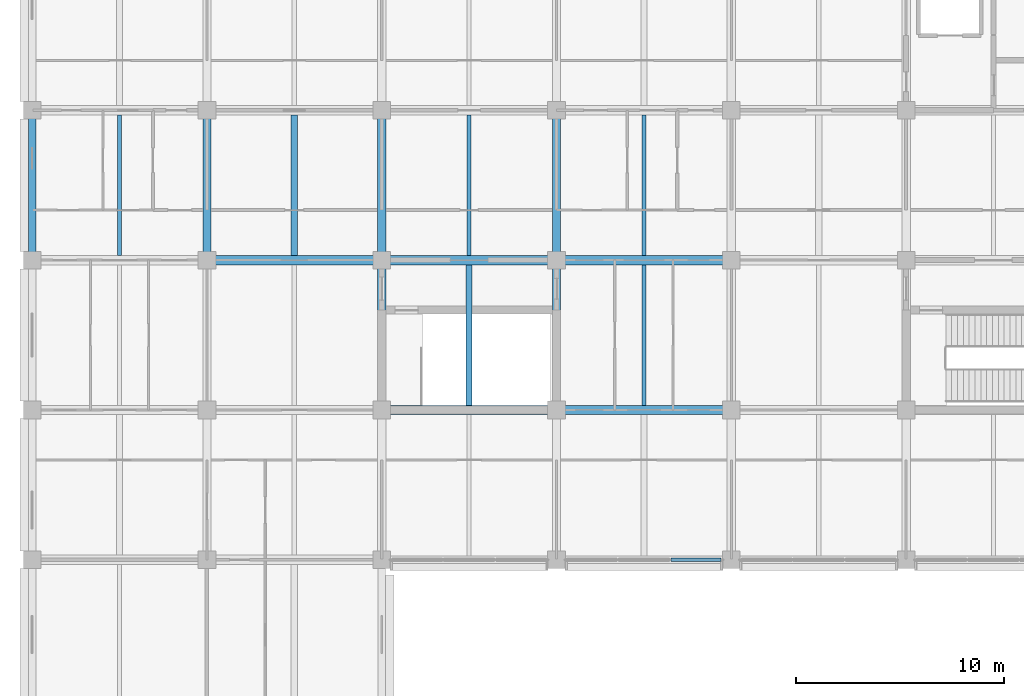
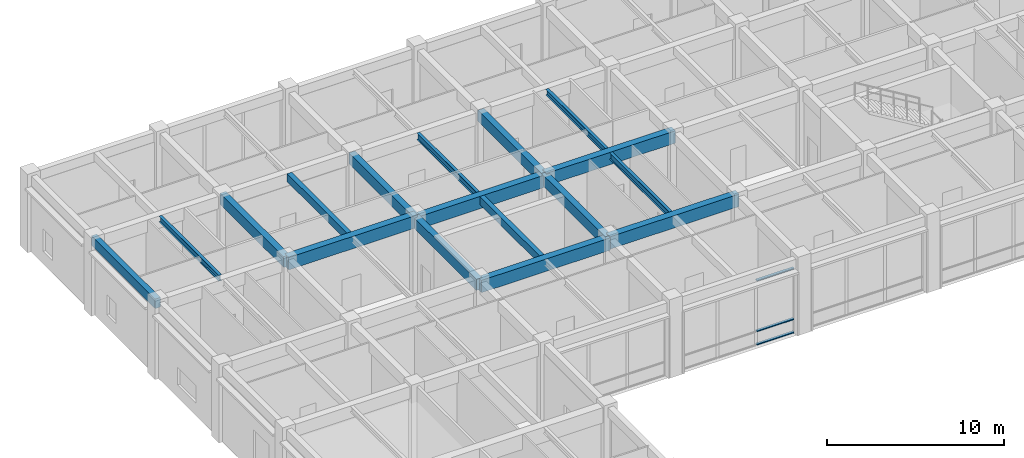
# One storey, part 5 of 58: 17 beams, 3 members, 1 element without a shape of its own.
"""IFC4 building model written with IfcOpenShell, lengths in metres."""

from ifc_helpers import new_model, si_unit, direction, frame, origin, origin_2d, place, context, subcontext, project, spatial, rectangle, i_section, extrude, material, layer, layer_set, material_profile, profile_set, type_object, element, aggregate, save


model = new_model("IFC4")

# Units and contexts
model_context = context("Model", 3, precision=1e-05, world=origin(), true_north=direction((0.0, 1.0)))
body_context = subcontext(model_context, "Body", "Model", "MODEL_VIEW")
ifc_project = project(units=[si_unit("LENGTHUNIT", "METRE"), si_unit("AREAUNIT", "SQUARE_METRE"), si_unit("VOLUMEUNIT", "CUBIC_METRE"), si_unit("PLANEANGLEUNIT", "RADIAN"), si_unit("MASSUNIT", "GRAM", prefix="KILO")], contexts=[model_context])

# Site, building, storey
site_placement = place(None, origin())
site = spatial("IfcSite", under=ifc_project, at=site_placement, CompositionType="ELEMENT")
building_placement = place(site_placement, origin())
building = spatial("IfcBuilding", under=site, at=building_placement, Name="Chengyuan Square Courthouse", CompositionType="ELEMENT")
storey_placement = place(building_placement, frame((0.0, 0.0, 16.199951171875)))
storey = spatial("IfcBuildingStorey", under=building, at=storey_placement, Name="L04", CompositionType="ELEMENT", Elevation=16.199951171875)

# Beams
ifc_material_1 = material(Name="Concrete C40", Category="concrete")
ifc_material_profile_1 = material_profile(ifc_material_1, rectangle(XDim=0.449951171875, YDim=0.85009765625, at=origin_2d()), Name="RC-BM-450x850")
ifc_profile_set_1 = profile_set([ifc_material_profile_1], Name="Concrete C40")
beam_type_1 = type_object("IfcBeamType", Name="BM-01", PredefinedType="USERDEFINED", material=ifc_profile_set_1)
beam_1_placement = place(storey_placement, frame((16.800048828125, 86.39990234375, 4.625), z_axis=(1.0, 0.0, 0.0), x_axis=(0.0, 1.0, 0.0)))
element("IfcBeam", 1, at=beam_1_placement, inside=storey, type_object=beam_type_1, Name="Girder BM-L04-2883", ObjectType="GIRDER", PredefinedType="USERDEFINED", context=body_context, shape_type="SweptSolid", body=[
    extrude(rectangle(XDim=0.449951171875, YDim=0.85009765625, at=origin_2d()), origin(), (0.0, 0.0, 1.0), 8.39990234375),
])
for number, where, z_axis, x_axis, name in (
    (2, (25.199951171875, 86.39990234375, 4.695068359375), (1.0, 0.0, 0.0), (0.0, 1.0, 0.0), "Girder BM-L04-2884"),
    (3, (8.39990234375, 93.60009765625, 4.775146484375), (1.0, 0.0, 0.0), (0.0, 1.0, 0.0), "Girder BM-L04-2902"),
):
    element("IfcBeam", number, at=place(storey_placement, frame(where, z_axis=z_axis, x_axis=x_axis)), inside=storey, type_object=beam_type_1, Name=name, ObjectType="GIRDER", PredefinedType="USERDEFINED", context=body_context, shape_type="SweptSolid", body=[
        extrude(rectangle(XDim=0.449951171875, YDim=0.85009765625, at=origin_2d()), origin(), (0.0, 0.0, 1.0), 8.400146484375),
    ])
beam_2_placement = place(storey_placement, frame((16.800048828125, 93.60009765625, 4.625), z_axis=(1.0, 0.0, 0.0), x_axis=(0.0, 1.0, 0.0)))
element("IfcBeam", 4, at=beam_2_placement, inside=storey, type_object=beam_type_1, Name="Girder BM-L04-2903", ObjectType="GIRDER", PredefinedType="USERDEFINED", context=body_context, shape_type="SweptSolid", body=[
    extrude(rectangle(XDim=0.449951171875, YDim=0.85009765625, at=origin_2d()), origin(), (0.0, 0.0, 1.0), 8.39990234375),
])
beam_3_placement = place(storey_placement, frame((25.199951171875, 93.60009765625, 4.695068359375), z_axis=(1.0, 0.0, 0.0), x_axis=(0.0, 1.0, 0.0)))
element("IfcBeam", 5, at=beam_3_placement, inside=storey, type_object=beam_type_1, Name="Girder BM-L04-2904", ObjectType="GIRDER", PredefinedType="USERDEFINED", context=body_context, shape_type="SweptSolid", body=[
    extrude(rectangle(XDim=0.449951171875, YDim=0.85009765625, at=origin_2d()), origin(), (0.0, 0.0, 1.0), 8.400146484375),
])
ifc_material_profile_2 = material_profile(ifc_material_1, rectangle(XDim=0.39990234375, YDim=0.75, at=origin_2d()), Name="RC-BM-400x750")
ifc_profile_set_2 = profile_set([ifc_material_profile_2], Name="Concrete C40")
beam_type_2 = type_object("IfcBeamType", Name="BM-02", PredefinedType="USERDEFINED", material=ifc_profile_set_2)
beam_4_placement = place(storey_placement, frame((8.39990234375, 93.60009765625, 4.824951171875), z_axis=(0.0, 1.0, 0.0), x_axis=(-1.0, 0.0, 0.0)))
element("IfcBeam", 6, at=beam_4_placement, inside=storey, type_object=beam_type_2, Name="Girder BM-L04-2981", ObjectType="GIRDER", PredefinedType="USERDEFINED", context=body_context, shape_type="SweptSolid", body=[
    extrude(rectangle(XDim=0.39990234375, YDim=0.75, at=origin_2d()), origin(), (0.0, 0.0, 1.0), 7.199951171875),
])
beam_5_placement = place(storey_placement, frame((16.800048828125, 86.39990234375, 4.675048828125), z_axis=(0.0, 1.0, 0.0), x_axis=(-1.0, 0.0, 0.0)))
element("IfcBeam", 7, at=beam_5_placement, inside=storey, type_object=beam_type_2, Name="Girder BM-L04-2990", ObjectType="GIRDER", PredefinedType="USERDEFINED", context=body_context, shape_type="SweptSolid", body=[
    extrude(rectangle(XDim=0.39990234375, YDim=0.75, at=origin_2d()), origin(), (0.0, 0.0, 1.0), 7.2001953125),
])
beam_6_placement = place(storey_placement, frame((16.800048828125, 93.60009765625, 4.675048828125), z_axis=(0.0, 1.0, 0.0), x_axis=(-1.0, 0.0, 0.0)))
element("IfcBeam", 8, at=beam_6_placement, inside=storey, type_object=beam_type_2, Name="Girder BM-L04-2991", ObjectType="GIRDER", PredefinedType="USERDEFINED", context=body_context, shape_type="SweptSolid", body=[
    extrude(rectangle(XDim=0.39990234375, YDim=0.75, at=origin_2d()), origin(), (0.0, 0.0, 1.0), 7.199951171875),
])
beam_7_placement = place(storey_placement, frame((25.199951171875, 86.39990234375, 4.675048828125), z_axis=(0.0, 1.0, 0.0), x_axis=(-1.0, 0.0, 0.0)))
element("IfcBeam", 9, at=beam_7_placement, inside=storey, type_object=beam_type_2, Name="Girder BM-L04-2994", ObjectType="GIRDER", PredefinedType="USERDEFINED", context=body_context, shape_type="SweptSolid", body=[
    extrude(rectangle(XDim=0.39990234375, YDim=0.75, at=origin_2d()), origin(), (0.0, 0.0, 1.0), 7.2001953125),
])
beam_8_placement = place(storey_placement, frame((25.199951171875, 93.60009765625, 4.675048828125), z_axis=(0.0, 1.0, 0.0), x_axis=(-1.0, 0.0, 0.0)))
element("IfcBeam", 10, at=beam_8_placement, inside=storey, type_object=beam_type_2, Name="Girder BM-L04-2995", ObjectType="GIRDER", PredefinedType="USERDEFINED", context=body_context, shape_type="SweptSolid", body=[
    extrude(rectangle(XDim=0.39990234375, YDim=0.75, at=origin_2d()), origin(), (0.0, 0.0, 1.0), 7.199951171875),
])
ifc_material_profile_3 = material_profile(ifc_material_1, rectangle(XDim=0.35009765625, YDim=0.64990234375, at=origin_2d()), Name="RC-BM-350x650")
ifc_profile_set_3 = profile_set([ifc_material_profile_3], Name="Concrete C40")
beam_type_3 = type_object("IfcBeamType", Name="BM-03", PredefinedType="SPANDREL", material=ifc_profile_set_3)
beam_9_placement = place(storey_placement, frame((0.0, 93.60009765625, 4.875), z_axis=(0.0, 1.0, 0.0), x_axis=(-1.0, 0.0, 0.0)))
element("IfcBeam", 11, at=beam_9_placement, inside=storey, type_object=beam_type_3, Name="Girder BM-L04-2977", PredefinedType="SPANDREL", context=body_context, shape_type="SweptSolid", body=[
    extrude(rectangle(XDim=0.35009765625, YDim=0.64990234375, at=origin_2d()), origin(), (0.0, 0.0, 1.0), 7.199951171875),
])
ifc_material_profile_4 = material_profile(ifc_material_1, rectangle(XDim=0.300048828125, YDim=0.550048828125, at=origin_2d()), Name="RC-BM-300x550")
ifc_profile_set_4 = profile_set([ifc_material_profile_4], Name="Concrete C40")
beam_type_4 = type_object("IfcBeamType", Name="BM-04", PredefinedType="BEAM", material=ifc_profile_set_4)
for number, where, z_axis, x_axis, name in (
    (12, (12.60009765625, 93.824951171875, 4.925048828125), (0.0, 1.0, 0.0), (-1.0, 0.0, 0.0), "Secondary Floor Beam SBM-L04-3111"),
    (13, (21.0, 86.625, 4.775146484375), (0.0, 1.0, 0.0), (-1.0, 0.0, 0.0), "Secondary Floor Beam SBM-L04-3114"),
):
    element("IfcBeam", number, at=place(storey_placement, frame(where, z_axis=z_axis, x_axis=x_axis)), inside=storey, type_object=beam_type_4, Name=name, PredefinedType="BEAM", context=body_context, shape_type="SweptSolid", body=[
        extrude(rectangle(XDim=0.300048828125, YDim=0.550048828125, at=origin_2d()), origin(), (0.0, 0.0, 1.0), 6.75),
    ])
ifc_material_2 = material(Name="Steel Q355B", Category="steel")
ifc_material_profile_5 = material_profile(ifc_material_2, i_section(OverallWidth=0.199951171875, OverallDepth=0.449951171875, WebThickness=0.009033203125, FlangeThickness=0.013916015625, at=origin_2d()), Name="HN 450x200x9x14")
ifc_profile_set_5 = profile_set([ifc_material_profile_5], Name="Steel Q355B")
beam_type_5 = type_object("IfcBeamType", Name="BM-06", PredefinedType="BEAM", material=ifc_profile_set_5)
for number, where, z_axis, x_axis, name in (
    (14, (21.0, 93.824951171875, 4.824951171875), (0.0, 1.0, 0.0), (-1.0, 0.0, 0.0), "Secondary Floor Beam SBM-L04-3115"),
    (15, (29.39990234375, 86.625, 4.89501953125), (0.0, 1.0, 0.0), (-1.0, 0.0, 0.0), "Secondary Floor Beam SBM-L04-3118"),
):
    element("IfcBeam", number, at=place(storey_placement, frame(where, z_axis=z_axis, x_axis=x_axis)), inside=storey, type_object=beam_type_5, Name=name, PredefinedType="BEAM", context=body_context, shape_type="SweptSolid", body=[
        extrude(i_section(OverallWidth=0.199951171875, OverallDepth=0.449951171875, WebThickness=0.009033203125, FlangeThickness=0.013916015625, at=origin_2d()), origin(), (0.0, 0.0, 1.0), 6.75),
    ])
ifc_material_profile_6 = material_profile(ifc_material_2, i_section(OverallWidth=0.199951171875, OverallDepth=0.39990234375, WebThickness=0.008056640625, FlangeThickness=0.012939453125, at=origin_2d()), Name="HN 400x200x8x13")
ifc_profile_set_6 = profile_set([ifc_material_profile_6], Name="Steel Q355B")
beam_type_6 = type_object("IfcBeamType", Name="BM-07", PredefinedType="BEAM", material=ifc_profile_set_6)
for number, where, z_axis, x_axis, name in (
    (16, (4.199951171875, 93.824951171875, 5.0), (0.0, 1.0, 0.0), (-1.0, 0.0, 0.0), "Secondary Floor Beam SBM-L04-3101"),
    (17, (29.39990234375, 93.824951171875, 4.920166015625), (0.0, 1.0, 0.0), (-1.0, 0.0, 0.0), "Secondary Floor Beam SBM-L04-3119"),
):
    element("IfcBeam", number, at=place(storey_placement, frame(where, z_axis=z_axis, x_axis=x_axis)), inside=storey, type_object=beam_type_6, Name=name, PredefinedType="BEAM", context=body_context, shape_type="SweptSolid", body=[
        extrude(i_section(OverallWidth=0.199951171875, OverallDepth=0.39990234375, WebThickness=0.008056640625, FlangeThickness=0.012939453125, at=origin_2d()), origin(), (0.0, 0.0, 1.0), 6.75),
    ])

# Curtain wall, members
ifc_material_3 = material(Name="Unitised Aluminium and Triple Low-E Glass", Category="aluminium")
ifc_layer = layer(ifc_material_3, 0.179931640625)
ifc_layer_set = layer_set([ifc_layer], Name="Unitised Aluminium and Triple Low-E Glass")
curtain_wall_type = type_object("IfcCurtainWallType", Name="CW-10", PredefinedType="USERDEFINED", material=ifc_layer_set)
curtain_wall_placement = place(storey_placement, origin())
curtain_wall = element("IfcCurtainWall", 18, at=curtain_wall_placement, inside=storey, type_object=curtain_wall_type, Name="Unitised Curtain Wall CW-L04-135", ObjectType="UNITISED CURTAIN WALL", PredefinedType="USERDEFINED")
ifc_material_4 = material(Name="Aluminium 6063-T6 Frame", Category="aluminium")
ifc_material_profile_7 = material_profile(ifc_material_4, rectangle(XDim=0.179931640625, YDim=0.06494140625, at=origin_2d()), Name="CW-TRN-65x140")
ifc_profile_set_7 = profile_set([ifc_material_profile_7], Name="Aluminium 6063-T6 Frame")
member_type = type_object("IfcMemberType", Name="CWT-02", PredefinedType="USERDEFINED", material=ifc_profile_set_7)
member_1_placement = place(storey_placement, frame((30.69091796875, 79.199951171875, 0.032470703125), z_axis=(1.0, 0.0, 0.0), x_axis=(0.0, 1.0, 0.0)))
member_1 = element("IfcMember", 19, at=member_1_placement, type_object=member_type, Name="CW-10 transom 3.1", ObjectType="TRANSOM", PredefinedType="USERDEFINED", context=body_context, shape_type="SweptSolid", body=[
    extrude(rectangle(XDim=0.179931640625, YDim=0.06494140625, at=origin_2d()), origin(), (0.0, 0.0, 1.0), 2.419189453125),
])
member_2_placement = place(storey_placement, frame((30.69091796875, 79.199951171875, 0.949951171875), z_axis=(1.0, 0.0, 0.0), x_axis=(0.0, 1.0, 0.0)))
member_2 = element("IfcMember", 20, at=member_2_placement, type_object=member_type, Name="CW-10 transom 3.2", ObjectType="TRANSOM", PredefinedType="USERDEFINED", context=body_context, shape_type="SweptSolid", body=[
    extrude(rectangle(XDim=0.179931640625, YDim=0.06494140625, at=origin_2d()), origin(), (0.0, 0.0, 1.0), 2.419189453125),
])
member_3_placement = place(storey_placement, frame((30.69091796875, 79.199951171875, 4.4375), z_axis=(1.0, 0.0, 0.0), x_axis=(0.0, 1.0, 0.0)))
member_3 = element("IfcMember", 21, at=member_3_placement, type_object=member_type, Name="CW-10 transom 3.3", ObjectType="TRANSOM", PredefinedType="USERDEFINED", context=body_context, shape_type="SweptSolid", body=[
    extrude(rectangle(XDim=0.179931640625, YDim=0.06494140625, at=origin_2d()), origin(), (0.0, 0.0, 1.0), 2.419189453125),
])
aggregate(curtain_wall, [member_1, member_2, member_3])

save(model, "model.ifc")
